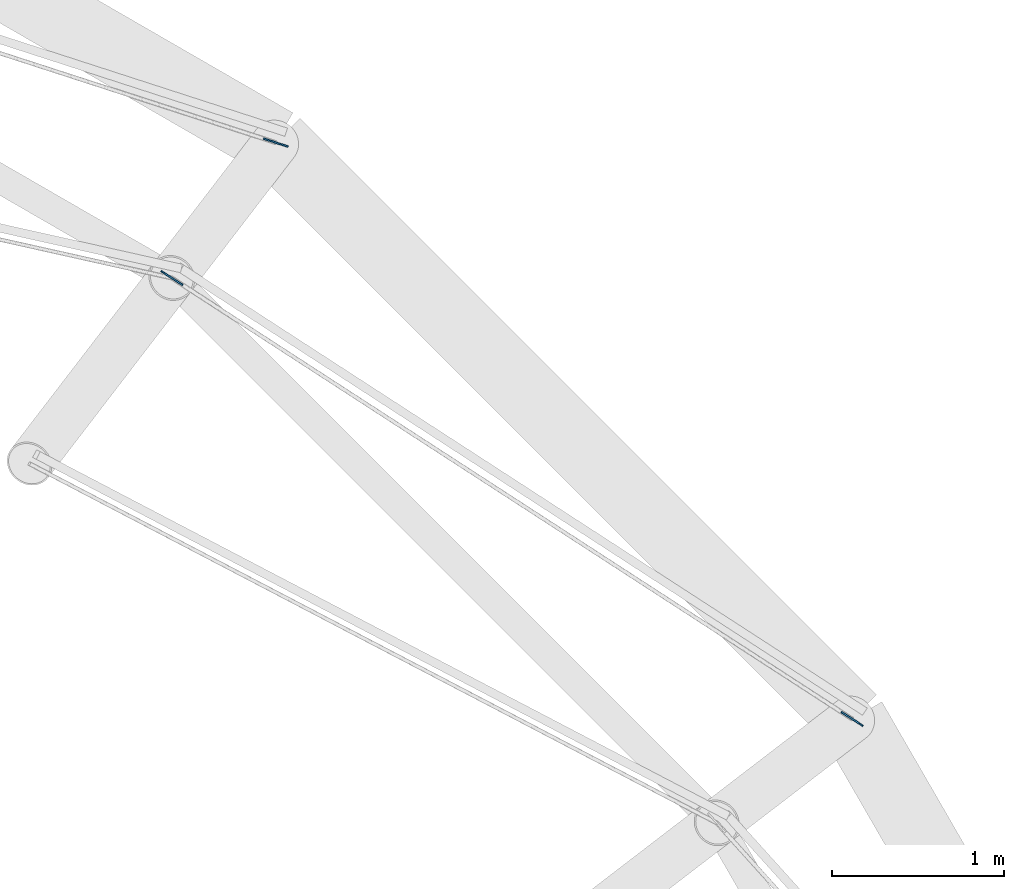
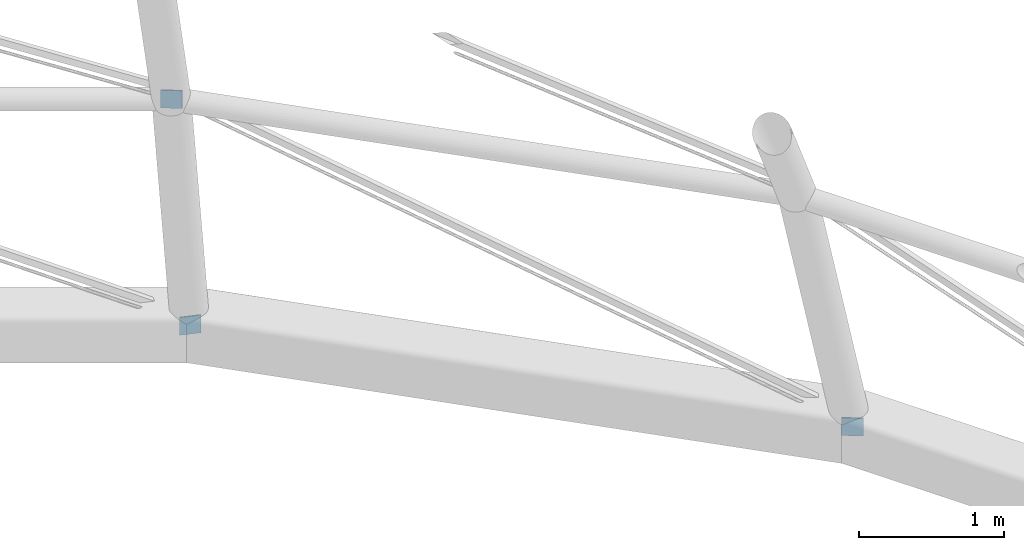
# One storey, part 42 of 59: 3 discrete accessories.
"""IFC4 building model written with IfcOpenShell, lengths in metres."""

from ifc_helpers import new_model, si_unit, direction, frame, origin, origin_2d, place, context, subcontext, project, spatial, rectangle, extrude, material, type_object, element, save


model = new_model("IFC4")

# Units and contexts
model_context = context("Model", 3, precision=1e-05, world=origin(), true_north=direction((0.0, 1.0)))
body_context = subcontext(model_context, "Body", "Model", "MODEL_VIEW")
ifc_project = project(units=[si_unit("LENGTHUNIT", "METRE"), si_unit("AREAUNIT", "SQUARE_METRE"), si_unit("VOLUMEUNIT", "CUBIC_METRE"), si_unit("PLANEANGLEUNIT", "RADIAN"), si_unit("MASSUNIT", "GRAM", prefix="KILO")], contexts=[model_context])

# Site, building, storey
site_placement = place(None, origin())
site = spatial("IfcSite", under=ifc_project, at=site_placement, CompositionType="ELEMENT")
building_placement = place(site_placement, origin())
building = spatial("IfcBuilding", under=site, at=building_placement, Name="Hortulan Conservatory and Botanical Research Centre", CompositionType="ELEMENT")
storey_placement = place(building_placement, frame((0.0, 0.0, 10.5)))
storey = spatial("IfcBuildingStorey", under=building, at=storey_placement, Name="L02", CompositionType="ELEMENT", Elevation=10.5)

# Discrete accessories
ifc_material = material(Name="Steel Grade 300 plate (AS/NZS 3678, 280 MPa minimum yield)", Category="steel")
discrete_accessory_type = type_object("IfcDiscreteAccessoryType", Name="End Plate 150x10", PredefinedType="BRACKET", material=ifc_material)
for number, where, z_axis, x_axis, name in (
    (1, (64.4482421875, 31.6162109375, 2.51904296875), (0.0, 0.0, 1.0), (0.839117055711, -0.543950886399, 0.0), "Dome rod end plate"),
    (2, (65.05224609375, 32.403564453125, -0.074951171875), (0.0, 0.0, 1.0), (0.951309684392, -0.308236734317, 0.0), "Dome rod end plate"),
    (3, (68.403564453125, 29.05224609375, -0.074951171875), (0.0, 0.0, 1.0), (0.839117055711, -0.543950886399, 0.0), "Dome rod end plate"),
):
    element("IfcDiscreteAccessory", number, at=place(storey_placement, frame(where, z_axis=z_axis, x_axis=x_axis)), inside=storey, type_object=discrete_accessory_type, Name=name, PredefinedType="BRACKET", context=body_context, shape_type="SweptSolid", body=[
        extrude(rectangle(XDim=0.14990234375, YDim=0.010009765625, at=origin_2d()), origin(), (0.0, 0.0, 1.0), 0.14990234375),
    ])

save(model, "model.ifc")
